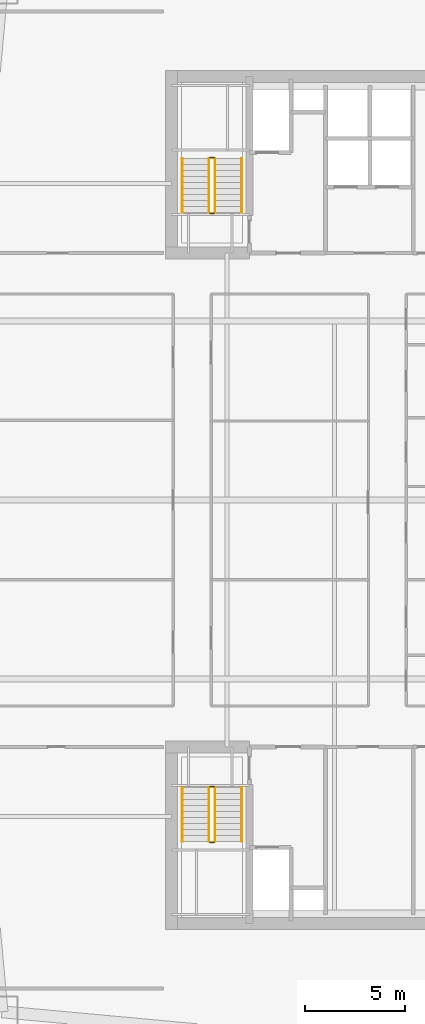
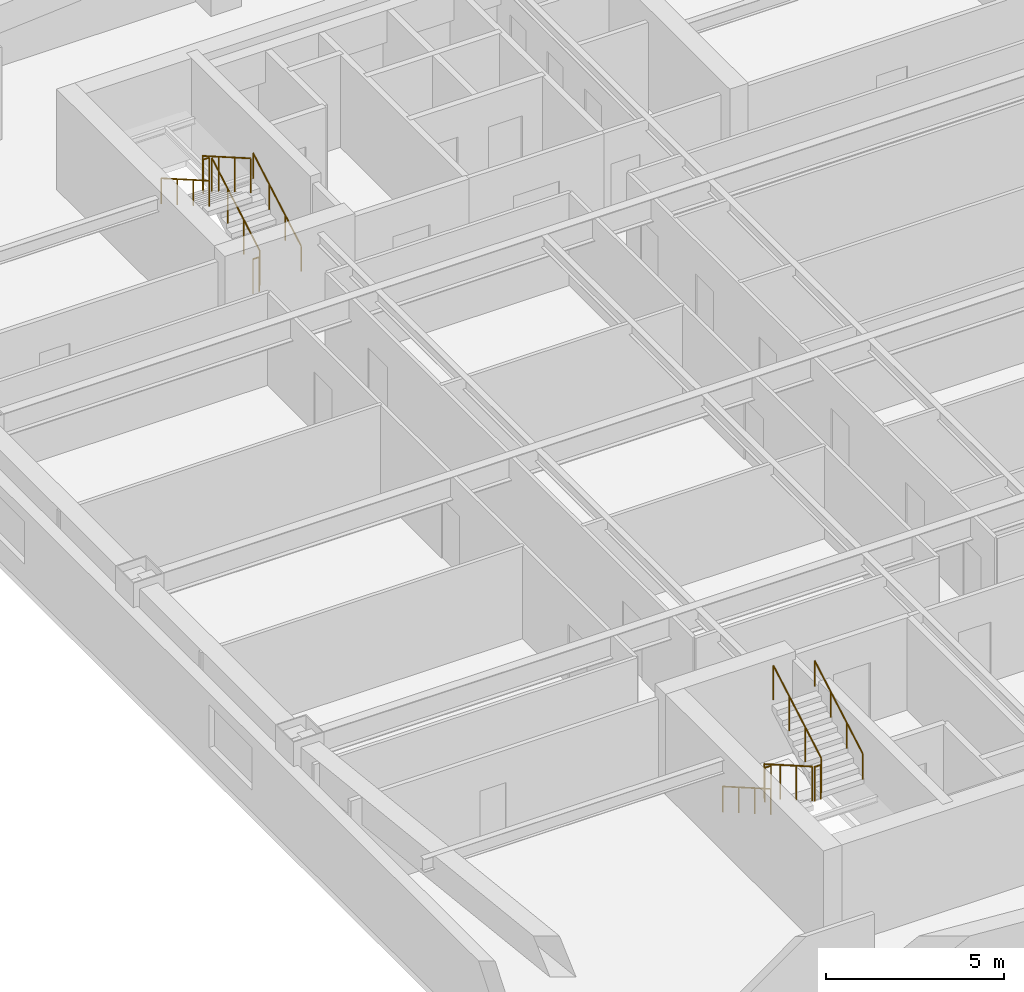
# One storey, part 10 of 11: 12 railings.
"""IFC4 building model written with IfcOpenShell, lengths in metres."""

from ifc_helpers import new_model, si_unit, direction, frame, origin, origin_2d, place, context, subcontext, project, spatial, circle, extrude, material, type_object, element, save


model = new_model("IFC4")

# Units and contexts
model_context = context("Model", 3, precision=1e-05, world=origin(), true_north=direction((0.0, 1.0)))
body_context = subcontext(model_context, "Body", "Model", "MODEL_VIEW")
ifc_project = project(units=[si_unit("LENGTHUNIT", "METRE"), si_unit("AREAUNIT", "SQUARE_METRE"), si_unit("VOLUMEUNIT", "CUBIC_METRE"), si_unit("PLANEANGLEUNIT", "RADIAN"), si_unit("MASSUNIT", "GRAM", prefix="KILO")], contexts=[model_context])

# Site, building, storey
site_placement = place(None, origin())
site = spatial("IfcSite", under=ifc_project, at=site_placement, CompositionType="ELEMENT")
building_placement = place(site_placement, origin())
building = spatial("IfcBuilding", under=site, at=building_placement, Name="Qiaolan Cultural Towers", CompositionType="ELEMENT")
storey_placement = place(building_placement, frame((0.0, 0.0, 117.300048828125)))
storey = spatial("IfcBuildingStorey", under=building, at=storey_placement, Name="L30", CompositionType="ELEMENT", Elevation=117.300048828125)

# Railings
ifc_material_1 = material(Name="Galvanized Painted Steel Stair Guardrail", Category="steel")
railing_type_1 = type_object("IfcRailingType", Name="RL-STAIR-GRD", PredefinedType="GUARDRAIL", material=ifc_material_1)
railing_1_placement = place(storey_placement, frame((23.68994140625, 19.550048828125, 0.17236328125)))
element("IfcRailing", 1, at=railing_1_placement, inside=storey, type_object=railing_type_1, Name="L30 ST-W1 stair guard 1", PredefinedType="GUARDRAIL", context=body_context, shape_type="SweptSolid", body=[
    extrude(circle(Radius=0.02392578125, at=origin_2d()), frame((0.0, 0.0, 1.17578125), z_axis=(0.0, -0.866903762492, 0.498475542607), x_axis=(1.0, 0.0, 0.0)), (0.0, 0.0, 1.0), 3.114501953125),
    extrude(circle(Radius=0.02099609375, at=origin_2d()), origin(), (0.0, 0.0, 1.0), 1.15185546875),
    extrude(circle(Radius=0.02099609375, at=origin_2d()), frame((0.0, -0.89990234375, 0.517578125)), (0.0, 0.0, 1.0), 1.15185546875),
    extrude(circle(Radius=0.02099609375, at=origin_2d()), frame((0.0, -1.800048828125, 1.034912109375)), (0.0, 0.0, 1.0), 1.15185546875),
    extrude(circle(Radius=0.02099609375, at=origin_2d()), frame((0.0, -2.699951171875, 1.552490234375)), (0.0, 0.0, 1.0), 1.15185546875),
])
railing_2_placement = place(storey_placement, frame((23.739990234375, 16.800048828125, 1.724853515625)))
element("IfcRailing", 2, at=railing_2_placement, inside=storey, type_object=railing_type_1, Name="L30 ST-W1 stair guard 2", PredefinedType="GUARDRAIL", context=body_context, shape_type="SweptSolid", body=[
    extrude(circle(Radius=0.02392578125, at=origin_2d()), frame((0.0, 0.0, 1.17578125), z_axis=(1.0, 0.0, 0.0), x_axis=(0.0, 1.0, 0.0)), (0.0, 0.0, 1.0), 0.199951171875),
    extrude(circle(Radius=0.02099609375, at=origin_2d()), origin(), (0.0, 0.0, 1.0), 1.15185546875),
    extrude(circle(Radius=0.02099609375, at=origin_2d()), frame((0.199951171875, 0.0, 0.0)), (0.0, 0.0, 1.0), 1.15185546875),
])
railing_3_placement = place(storey_placement, frame((23.989990234375, 16.85009765625, 1.8974609375)))
element("IfcRailing", 3, at=railing_3_placement, inside=storey, type_object=railing_type_1, Name="L30 ST-W1 stair guard 3", PredefinedType="GUARDRAIL", context=body_context, shape_type="SweptSolid", body=[
    extrude(circle(Radius=0.02392578125, at=origin_2d()), frame((0.0, 0.0, 1.17578125), z_axis=(0.0, 0.866903762492, 0.498475542607), x_axis=(-1.0, 0.0, 0.0)), (0.0, 0.0, 1.0), 3.114501953125),
    extrude(circle(Radius=0.02099609375, at=origin_2d()), origin(), (0.0, 0.0, 1.0), 1.15185546875),
    extrude(circle(Radius=0.02099609375, at=origin_2d()), frame((0.0, 0.89990234375, 0.517578125)), (0.0, 0.0, 1.0), 1.15185546875),
    extrude(circle(Radius=0.02099609375, at=origin_2d()), frame((0.0, 1.800048828125, 1.034912109375)), (0.0, 0.0, 1.0), 1.15185546875),
    extrude(circle(Radius=0.02099609375, at=origin_2d()), frame((0.0, 2.699951171875, 1.552490234375)), (0.0, 0.0, 1.0), 1.15185546875),
])
railing_4_placement = place(storey_placement, frame((23.739990234375, 19.60009765625, 0.0)))
element("IfcRailing", 4, at=railing_4_placement, inside=storey, type_object=railing_type_1, Name="L30 ST-W1 stair guard 4", PredefinedType="GUARDRAIL", context=body_context, shape_type="SweptSolid", body=[
    extrude(circle(Radius=0.02392578125, at=origin_2d()), frame((0.0, 0.0, 1.17578125), z_axis=(1.0, 0.0, 0.0), x_axis=(0.0, 1.0, 0.0)), (0.0, 0.0, 1.0), 0.199951171875),
    extrude(circle(Radius=0.02099609375, at=origin_2d()), origin(), (0.0, 0.0, 1.0), 1.15185546875),
    extrude(circle(Radius=0.02099609375, at=origin_2d()), frame((0.199951171875, 0.0, 0.0)), (0.0, 0.0, 1.0), 1.15185546875),
])
railing_5_placement = place(storey_placement, frame((23.989990234375, 48.449951171875, 0.17236328125)))
element("IfcRailing", 5, at=railing_5_placement, inside=storey, type_object=railing_type_1, Name="L30 ST-W2 stair guard 1", PredefinedType="GUARDRAIL", context=body_context, shape_type="SweptSolid", body=[
    extrude(circle(Radius=0.02392578125, at=origin_2d()), frame((0.0, 0.0, 1.17578125), z_axis=(0.0, 0.866903762492, 0.498475542607), x_axis=(-1.0, 0.0, 0.0)), (0.0, 0.0, 1.0), 3.114501953125),
    extrude(circle(Radius=0.02099609375, at=origin_2d()), origin(), (0.0, 0.0, 1.0), 1.15185546875),
    extrude(circle(Radius=0.02099609375, at=origin_2d()), frame((0.0, 0.89990234375, 0.517578125)), (0.0, 0.0, 1.0), 1.15185546875),
    extrude(circle(Radius=0.02099609375, at=origin_2d()), frame((0.0, 1.800048828125, 1.034912109375)), (0.0, 0.0, 1.0), 1.15185546875),
    extrude(circle(Radius=0.02099609375, at=origin_2d()), frame((0.0, 2.699951171875, 1.552490234375)), (0.0, 0.0, 1.0), 1.15185546875),
])
railing_6_placement = place(storey_placement, frame((23.93994140625, 51.199951171875, 1.724853515625)))
element("IfcRailing", 6, at=railing_6_placement, inside=storey, type_object=railing_type_1, Name="L30 ST-W2 stair guard 2", PredefinedType="GUARDRAIL", context=body_context, shape_type="SweptSolid", body=[
    extrude(circle(Radius=0.02392578125, at=origin_2d()), frame((0.0, 0.0, 1.17578125), z_axis=(-1.0, 0.0, 0.0), x_axis=(0.0, -1.0, 0.0)), (0.0, 0.0, 1.0), 0.199951171875),
    extrude(circle(Radius=0.02099609375, at=origin_2d()), origin(), (0.0, 0.0, 1.0), 1.15185546875),
    extrude(circle(Radius=0.02099609375, at=origin_2d()), frame((-0.199951171875, 0.0, 0.0)), (0.0, 0.0, 1.0), 1.15185546875),
])
railing_7_placement = place(storey_placement, frame((23.68994140625, 51.14990234375, 1.8974609375)))
element("IfcRailing", 7, at=railing_7_placement, inside=storey, type_object=railing_type_1, Name="L30 ST-W2 stair guard 3", PredefinedType="GUARDRAIL", context=body_context, shape_type="SweptSolid", body=[
    extrude(circle(Radius=0.02392578125, at=origin_2d()), frame((0.0, 0.0, 1.17578125), z_axis=(0.0, -0.866903762492, 0.498475542607), x_axis=(1.0, 0.0, 0.0)), (0.0, 0.0, 1.0), 3.114501953125),
    extrude(circle(Radius=0.02099609375, at=origin_2d()), origin(), (0.0, 0.0, 1.0), 1.15185546875),
    extrude(circle(Radius=0.02099609375, at=origin_2d()), frame((0.0, -0.89990234375, 0.517578125)), (0.0, 0.0, 1.0), 1.15185546875),
    extrude(circle(Radius=0.02099609375, at=origin_2d()), frame((0.0, -1.800048828125, 1.034912109375)), (0.0, 0.0, 1.0), 1.15185546875),
    extrude(circle(Radius=0.02099609375, at=origin_2d()), frame((0.0, -2.699951171875, 1.552490234375)), (0.0, 0.0, 1.0), 1.15185546875),
])
railing_8_placement = place(storey_placement, frame((23.93994140625, 48.39990234375, 0.0)))
element("IfcRailing", 8, at=railing_8_placement, inside=storey, type_object=railing_type_1, Name="L30 ST-W2 stair guard 4", PredefinedType="GUARDRAIL", context=body_context, shape_type="SweptSolid", body=[
    extrude(circle(Radius=0.02392578125, at=origin_2d()), frame((0.0, 0.0, 1.17578125), z_axis=(-1.0, 0.0, 0.0), x_axis=(0.0, -1.0, 0.0)), (0.0, 0.0, 1.0), 0.199951171875),
    extrude(circle(Radius=0.02099609375, at=origin_2d()), origin(), (0.0, 0.0, 1.0), 1.15185546875),
    extrude(circle(Radius=0.02099609375, at=origin_2d()), frame((-0.199951171875, 0.0, 0.0)), (0.0, 0.0, 1.0), 1.15185546875),
])
ifc_material_2 = material(Name="Stainless Steel S30408 Tubular Handrail", Category="steel")
railing_type_2 = type_object("IfcRailingType", Name="RL-STAIR-HR", PredefinedType="HANDRAIL", material=ifc_material_2)
railing_9_placement = place(storey_placement, frame((22.35009765625, 19.550048828125, 0.17236328125)))
element("IfcRailing", 9, at=railing_9_placement, inside=storey, type_object=railing_type_2, Name="L30 ST-W1 stair handrail 1", PredefinedType="HANDRAIL", context=body_context, shape_type="SweptSolid", body=[
    extrude(circle(Radius=0.02392578125, at=origin_2d()), frame((0.0, 0.0, 0.8759765625), z_axis=(0.0, -0.866903762492, 0.498475542607), x_axis=(1.0, 0.0, 0.0)), (0.0, 0.0, 1.0), 3.114501953125),
    extrude(circle(Radius=0.02099609375, at=origin_2d()), origin(), (0.0, 0.0, 1.0), 0.851806640625),
    extrude(circle(Radius=0.02099609375, at=origin_2d()), frame((0.0, -0.89990234375, 0.517578125)), (0.0, 0.0, 1.0), 0.851806640625),
    extrude(circle(Radius=0.02099609375, at=origin_2d()), frame((0.0, -1.800048828125, 1.034912109375)), (0.0, 0.0, 1.0), 0.851806640625),
    extrude(circle(Radius=0.02099609375, at=origin_2d()), frame((0.0, -2.699951171875, 1.552490234375)), (0.0, 0.0, 1.0), 0.851806640625),
])
for number, where, name in (
    (10, (25.330078125, 16.85009765625, 1.8974609375), "L30 ST-W1 stair handrail 2"),
    (11, (25.330078125, 48.449951171875, 0.17236328125), "L30 ST-W2 stair handrail 1"),
):
    element("IfcRailing", number, at=place(storey_placement, frame(where)), inside=storey, type_object=railing_type_2, Name=name, PredefinedType="HANDRAIL", context=body_context, shape_type="SweptSolid", body=[
        extrude(circle(Radius=0.02392578125, at=origin_2d()), frame((0.0, 0.0, 0.8759765625), z_axis=(0.0, 0.866903762492, 0.498475542607), x_axis=(-1.0, 0.0, 0.0)), (0.0, 0.0, 1.0), 3.114501953125),
        extrude(circle(Radius=0.02099609375, at=origin_2d()), origin(), (0.0, 0.0, 1.0), 0.851806640625),
        extrude(circle(Radius=0.02099609375, at=origin_2d()), frame((0.0, 0.89990234375, 0.517578125)), (0.0, 0.0, 1.0), 0.851806640625),
        extrude(circle(Radius=0.02099609375, at=origin_2d()), frame((0.0, 1.800048828125, 1.034912109375)), (0.0, 0.0, 1.0), 0.851806640625),
        extrude(circle(Radius=0.02099609375, at=origin_2d()), frame((0.0, 2.699951171875, 1.552490234375)), (0.0, 0.0, 1.0), 0.851806640625),
    ])
railing_10_placement = place(storey_placement, frame((22.35009765625, 51.14990234375, 1.8974609375)))
element("IfcRailing", 12, at=railing_10_placement, inside=storey, type_object=railing_type_2, Name="L30 ST-W2 stair handrail 2", PredefinedType="HANDRAIL", context=body_context, shape_type="SweptSolid", body=[
    extrude(circle(Radius=0.02392578125, at=origin_2d()), frame((0.0, 0.0, 0.8759765625), z_axis=(0.0, -0.866903762492, 0.498475542607), x_axis=(1.0, 0.0, 0.0)), (0.0, 0.0, 1.0), 3.114501953125),
    extrude(circle(Radius=0.02099609375, at=origin_2d()), origin(), (0.0, 0.0, 1.0), 0.851806640625),
    extrude(circle(Radius=0.02099609375, at=origin_2d()), frame((0.0, -0.89990234375, 0.517578125)), (0.0, 0.0, 1.0), 0.851806640625),
    extrude(circle(Radius=0.02099609375, at=origin_2d()), frame((0.0, -1.800048828125, 1.034912109375)), (0.0, 0.0, 1.0), 0.851806640625),
    extrude(circle(Radius=0.02099609375, at=origin_2d()), frame((0.0, -2.699951171875, 1.552490234375)), (0.0, 0.0, 1.0), 0.851806640625),
])

save(model, "model.ifc")
